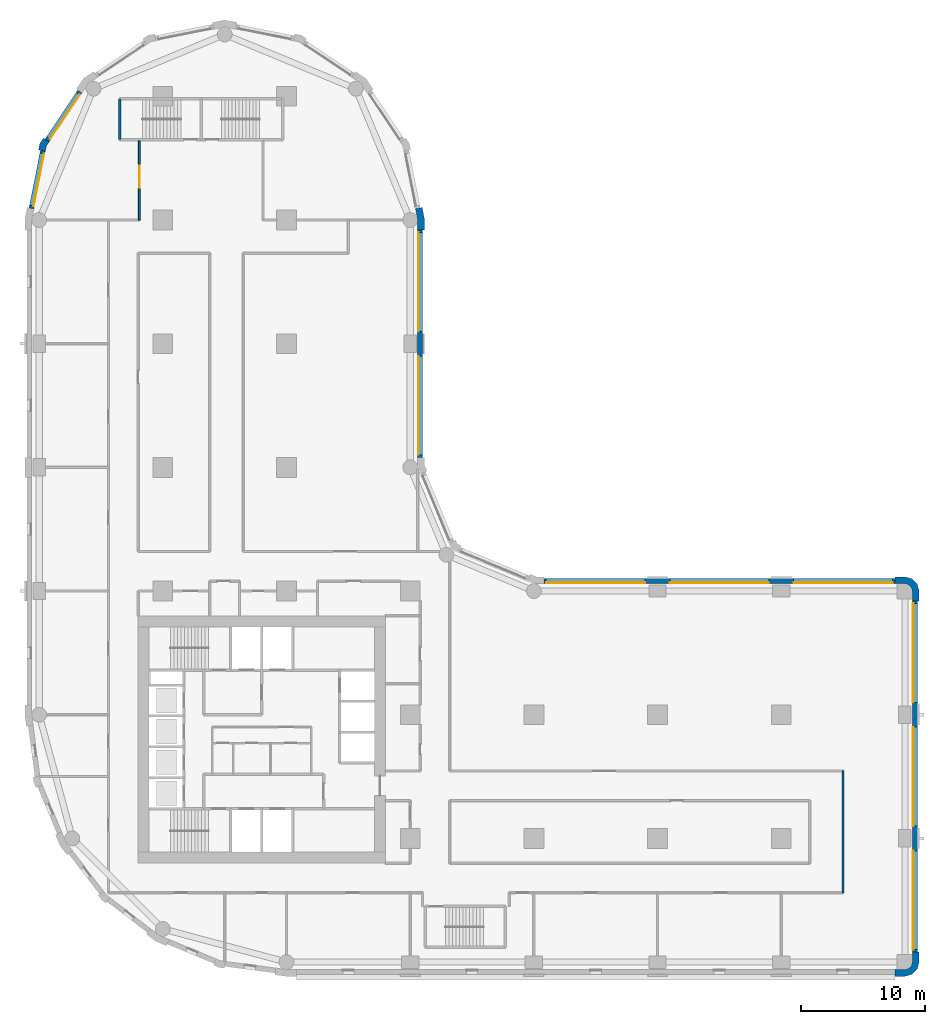
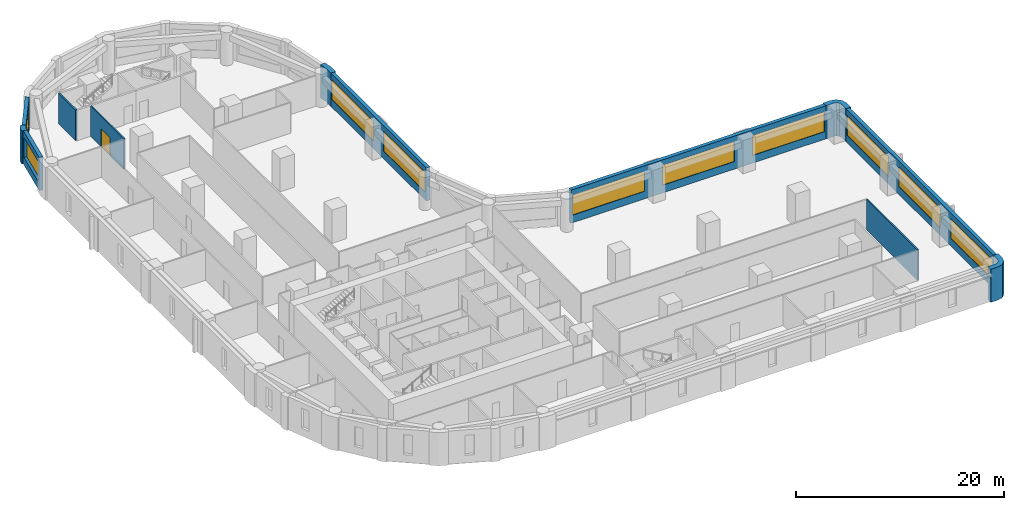
# One storey, part 6 of 10: 12 walls, 10 windows, 1 door, 11 openings.
"""IFC4 building model written with IfcOpenShell, lengths in metres."""

from ifc_helpers import new_model, si_unit, direction, frame, frame_2d, origin, place, context, subcontext, project, spatial, polyline, rectangle, outline, extrude, material, layer, layer_set, type_object, element, fill, save


model = new_model("IFC4")

# Units and contexts
model_context = context("Model", 3, precision=1e-05, world=origin(), true_north=direction((0.0, 1.0)))
body_context = subcontext(model_context, "Body", "Model", "MODEL_VIEW")
ifc_project = project(units=[si_unit("LENGTHUNIT", "METRE"), si_unit("AREAUNIT", "SQUARE_METRE"), si_unit("VOLUMEUNIT", "CUBIC_METRE"), si_unit("PLANEANGLEUNIT", "RADIAN"), si_unit("MASSUNIT", "GRAM", prefix="KILO")], contexts=[model_context])

# Site, building, storey
site_placement = place(None, origin())
site = spatial("IfcSite", under=ifc_project, at=site_placement, CompositionType="ELEMENT")
building_placement = place(site_placement, origin())
building = spatial("IfcBuilding", under=site, at=building_placement, Name="Qaws Garden Tower", CompositionType="ELEMENT")
storey_placement = place(building_placement, frame((0.0, 0.0, 51.0)))
storey = spatial("IfcBuildingStorey", under=building, at=storey_placement, Name="L12", CompositionType="ELEMENT", Elevation=51.0)

# Walls
ifc_material_1 = material(Name="Clay facing brick masonry", Category="masonry")
ifc_layer_1 = layer(ifc_material_1, 0.550048828125)
ifc_layer_set_1 = layer_set([ifc_layer_1], Name="Clay facing brick masonry")
wall_type_1 = type_object("IfcWallType", Name="Brick corner pier 550 x 2400", PredefinedType="SOLIDWALL", material=ifc_layer_set_1)
placement = place(storey_placement, origin())
element("IfcWall", 1, at=placement, inside=storey, type_object=wall_type_1, Name="E-L12-pier-05", PredefinedType="SOLIDWALL", context=body_context, shape_type="SweptSolid", body=[
    extrude(outline(polyline([(69.199951171875, -1.0), (69.199951171875, -1.14990234375), (70.0, -1.14990234375), (70.574951171875, -0.995849609375), (70.995849609375, -0.574951171875), (71.14990234375, 0.0), (71.14990234375, 0.800048828125), (71.0, 0.800048828125), (70.60009765625, 0.800048828125), (70.60009765625, 0.0), (70.51953125, -0.300048828125), (70.300048828125, -0.51953125), (70.0, -0.60009765625), (69.199951171875, -0.60009765625), (69.199951171875, -1.0)])), origin(), (0.0, 0.0, 1.0), 3.89990234375),
])
element("IfcWall", 2, at=placement, inside=storey, type_object=wall_type_1, Name="E-L12-pier-08", PredefinedType="SOLIDWALL", context=body_context, shape_type="SweptSolid", body=[
    extrude(outline(polyline([(71.0, 29.199951171875), (71.14990234375, 29.199951171875), (71.14990234375, 30.0), (70.995849609375, 30.574951171875), (70.574951171875, 30.995849609375), (70.0, 31.14990234375), (69.199951171875, 31.14990234375), (69.199951171875, 31.0), (69.199951171875, 30.60009765625), (70.0, 30.60009765625), (70.300048828125, 30.51953125), (70.51953125, 30.300048828125), (70.60009765625, 30.0), (70.60009765625, 29.199951171875), (71.0, 29.199951171875)])), origin(), (0.0, 0.0, 1.0), 3.89990234375),
])

# Wall, openings, windows
ifc_material_2 = material(Name="Clay facing brick masonry", Category="masonry")
ifc_layer_2 = layer(ifc_material_2, 0.39990234375)
ifc_layer_set_2 = layer_set([ifc_layer_2], Name="Clay facing brick masonry")
wall_type_2 = type_object("IfcWallType", Name="Brick infill wall 400", PredefinedType="SOLIDWALL", material=ifc_layer_set_2)
wall_3_placement = place(storey_placement, frame((70.800048828125, 0.800048828125, 0.0), z_axis=(0.0, 0.0, 1.0), x_axis=(0.0, 1.0, 0.0)))
wall_3 = element("IfcWall", 3, at=wall_3_placement, inside=storey, type_object=wall_type_2, Name="E-L12-infill-05", PredefinedType="SOLIDWALL", context=body_context, shape_type="SweptSolid", body=[
    extrude(rectangle(XDim=28.39990234375, YDim=0.39990234375, at=frame_2d((14.199951171875, 0.0))), origin(), (0.0, 0.0, 1.0), 3.89990234375),
])
opening_1_placement = place(wall_3_placement, frame((0.199951171875, 0.0, 0.89990234375)))
opening_1 = element("IfcOpeningElement", 4, at=opening_1_placement, cuts=wall_3, Name="Opening W01", PredefinedType="OPENING", context=body_context, shape_type="SweptSolid", body=[
    extrude(rectangle(XDim=8.0, YDim=2.35009765625, at=frame_2d((4.0, 1.175048828125))), frame((0.0, 0.2099609375, 0.0), z_axis=(0.0, -1.0, 0.0), x_axis=(1.0, 0.0, 0.0)), (0.0, 0.0, 1.0), 0.419921875),
])
opening_2_placement = place(wall_3_placement, frame((10.199951171875, 0.0, 0.89990234375)))
opening_2 = element("IfcOpeningElement", 5, at=opening_2_placement, cuts=wall_3, Name="Opening W01", PredefinedType="OPENING", context=body_context, shape_type="SweptSolid", body=[
    extrude(rectangle(XDim=8.0, YDim=2.35009765625, at=frame_2d((4.0, 1.175048828125))), frame((0.0, 0.2099609375, 0.0), z_axis=(0.0, -1.0, 0.0), x_axis=(1.0, 0.0, 0.0)), (0.0, 0.0, 1.0), 0.419921875),
])
opening_3_placement = place(wall_3_placement, frame((20.199951171875, 0.0, 0.89990234375)))
opening_3 = element("IfcOpeningElement", 6, at=opening_3_placement, cuts=wall_3, Name="Opening W01", PredefinedType="OPENING", context=body_context, shape_type="SweptSolid", body=[
    extrude(rectangle(XDim=8.0, YDim=2.35009765625, at=frame_2d((4.0, 1.175048828125))), frame((0.0, 0.2099609375, 0.0), z_axis=(0.0, -1.0, 0.0), x_axis=(1.0, 0.0, 0.0)), (0.0, 0.0, 1.0), 0.419921875),
])
ifc_material_3 = material(Name="Aluminium framed window, clear glazing", Category="aluminium")
window_type_1 = type_object("IfcWindowType", Name="Ribbon window 8000 x 2350", PartitioningType="DOUBLE_PANEL_VERTICAL", PredefinedType="WINDOW", material=ifc_material_3)
window_1_placement = place(opening_1_placement, origin())
window_1 = element("IfcWindow", 7, at=window_1_placement, inside=storey, type_object=window_type_1, Name="E-L12-window-05-0", OverallHeight=2.35009765625, OverallWidth=8.0, PartitioningType="SINGLE_PANEL", PredefinedType="WINDOW", context=body_context, shape_type="SweptSolid", body=[
    extrude(rectangle(XDim=8.0, YDim=2.35009765625, at=frame_2d((4.0, 1.175048828125))), frame((0.0, 0.159912109375, 0.0), z_axis=(0.0, -1.0, 0.0), x_axis=(1.0, 0.0, 0.0)), (0.0, 0.0, 1.0), 0.06005859375),
])
fill(opening_1, window_1)
window_2_placement = place(opening_2_placement, origin())
window_2 = element("IfcWindow", 8, at=window_2_placement, inside=storey, type_object=window_type_1, Name="E-L12-window-06-0", OverallHeight=2.35009765625, OverallWidth=8.0, PartitioningType="SINGLE_PANEL", PredefinedType="WINDOW", context=body_context, shape_type="SweptSolid", body=[
    extrude(rectangle(XDim=8.0, YDim=2.35009765625, at=frame_2d((4.0, 1.175048828125))), frame((0.0, 0.159912109375, 0.0), z_axis=(0.0, -1.0, 0.0), x_axis=(1.0, 0.0, 0.0)), (0.0, 0.0, 1.0), 0.06005859375),
])
fill(opening_2, window_2)
window_3_placement = place(opening_3_placement, origin())
window_3 = element("IfcWindow", 9, at=window_3_placement, inside=storey, type_object=window_type_1, Name="E-L12-window-07-0", OverallHeight=2.35009765625, OverallWidth=8.0, PartitioningType="SINGLE_PANEL", PredefinedType="WINDOW", context=body_context, shape_type="SweptSolid", body=[
    extrude(rectangle(XDim=8.0, YDim=2.35009765625, at=frame_2d((4.0, 1.175048828125))), frame((0.0, 0.159912109375, 0.0), z_axis=(0.0, -1.0, 0.0), x_axis=(1.0, 0.0, 0.0)), (0.0, 0.0, 1.0), 0.06005859375),
])
fill(opening_3, window_3)

wall_4_placement = place(storey_placement, frame((69.199951171875, 30.800048828125, 0.0), z_axis=(0.0, 0.0, 1.0), x_axis=(-1.0, 0.0, 0.0)))
wall_4 = element("IfcWall", 10, at=wall_4_placement, inside=storey, type_object=wall_type_2, Name="E-L12-infill-08", PredefinedType="SOLIDWALL", context=body_context, shape_type="SweptSolid", body=[
    extrude(rectangle(XDim=28.39990234375, YDim=0.39990234375, at=frame_2d((14.199951171875, 0.0))), origin(), (0.0, 0.0, 1.0), 3.89990234375),
])
opening_4_placement = place(wall_4_placement, frame((0.199951171875, 0.0, 0.89990234375)))
opening_4 = element("IfcOpeningElement", 11, at=opening_4_placement, cuts=wall_4, Name="Opening W01", PredefinedType="OPENING", context=body_context, shape_type="SweptSolid", body=[
    extrude(rectangle(XDim=8.0, YDim=2.35009765625, at=frame_2d((4.0, 1.175048828125))), frame((0.0, 0.2099609375, 0.0), z_axis=(0.0, -1.0, 0.0), x_axis=(1.0, 0.0, 0.0)), (0.0, 0.0, 1.0), 0.419921875),
])
opening_5_placement = place(wall_4_placement, frame((10.199951171875, 0.0, 0.89990234375)))
opening_5 = element("IfcOpeningElement", 12, at=opening_5_placement, cuts=wall_4, Name="Opening W01", PredefinedType="OPENING", context=body_context, shape_type="SweptSolid", body=[
    extrude(rectangle(XDim=8.0, YDim=2.35009765625, at=frame_2d((4.0, 1.175048828125))), frame((0.0, 0.2099609375, 0.0), z_axis=(0.0, -1.0, 0.0), x_axis=(1.0, 0.0, 0.0)), (0.0, 0.0, 1.0), 0.419921875),
])
opening_6_placement = place(wall_4_placement, frame((20.199951171875, 0.0, 0.89990234375)))
opening_6 = element("IfcOpeningElement", 13, at=opening_6_placement, cuts=wall_4, Name="Opening W01", PredefinedType="OPENING", context=body_context, shape_type="SweptSolid", body=[
    extrude(rectangle(XDim=8.0, YDim=2.35009765625, at=frame_2d((4.0, 1.175048828125))), frame((0.0, 0.2099609375, 0.0), z_axis=(0.0, -1.0, 0.0), x_axis=(1.0, 0.0, 0.0)), (0.0, 0.0, 1.0), 0.419921875),
])
window_4_placement = place(opening_4_placement, origin())
window_4 = element("IfcWindow", 14, at=window_4_placement, inside=storey, type_object=window_type_1, Name="E-L12-window-08-0", OverallHeight=2.35009765625, OverallWidth=8.0, PartitioningType="SINGLE_PANEL", PredefinedType="WINDOW", context=body_context, shape_type="SweptSolid", body=[
    extrude(rectangle(XDim=8.0, YDim=2.35009765625, at=frame_2d((4.0, 1.175048828125))), frame((0.0, 0.159912109375, 0.0), z_axis=(0.0, -1.0, 0.0), x_axis=(1.0, 0.0, 0.0)), (0.0, 0.0, 1.0), 0.06005859375),
])
fill(opening_4, window_4)
window_5_placement = place(opening_5_placement, origin())
window_5 = element("IfcWindow", 15, at=window_5_placement, inside=storey, type_object=window_type_1, Name="E-L12-window-09-0", OverallHeight=2.35009765625, OverallWidth=8.0, PartitioningType="SINGLE_PANEL", PredefinedType="WINDOW", context=body_context, shape_type="SweptSolid", body=[
    extrude(rectangle(XDim=8.0, YDim=2.35009765625, at=frame_2d((4.0, 1.175048828125))), frame((0.0, 0.159912109375, 0.0), z_axis=(0.0, -1.0, 0.0), x_axis=(1.0, 0.0, 0.0)), (0.0, 0.0, 1.0), 0.06005859375),
])
fill(opening_5, window_5)
window_6_placement = place(opening_6_placement, origin())
window_6 = element("IfcWindow", 16, at=window_6_placement, inside=storey, type_object=window_type_1, Name="E-L12-window-10-0", OverallHeight=2.35009765625, OverallWidth=8.0, PartitioningType="SINGLE_PANEL", PredefinedType="WINDOW", context=body_context, shape_type="SweptSolid", body=[
    extrude(rectangle(XDim=8.0, YDim=2.35009765625, at=frame_2d((4.0, 1.175048828125))), frame((0.0, 0.159912109375, 0.0), z_axis=(0.0, -1.0, 0.0), x_axis=(1.0, 0.0, 0.0)), (0.0, 0.0, 1.0), 0.06005859375),
])
fill(opening_6, window_6)

wall_5_placement = place(storey_placement, frame((30.800048828125, 40.800048828125, 0.0), z_axis=(0.0, 0.0, 1.0), x_axis=(0.0, 1.0, 0.0)))
wall_5 = element("IfcWall", 17, at=wall_5_placement, inside=storey, type_object=wall_type_2, Name="E-L12-infill-13", PredefinedType="SOLIDWALL", context=body_context, shape_type="SweptSolid", body=[
    extrude(rectangle(XDim=18.39990234375, YDim=0.39990234375, at=frame_2d((9.199951171875, 0.0))), origin(), (0.0, 0.0, 1.0), 3.89990234375),
])
opening_7_placement = place(wall_5_placement, frame((0.199951171875, 0.0, 0.89990234375)))
opening_7 = element("IfcOpeningElement", 18, at=opening_7_placement, cuts=wall_5, Name="Opening W01", PredefinedType="OPENING", context=body_context, shape_type="SweptSolid", body=[
    extrude(rectangle(XDim=8.0, YDim=2.35009765625, at=frame_2d((4.0, 1.175048828125))), frame((0.0, 0.2099609375, 0.0), z_axis=(0.0, -1.0, 0.0), x_axis=(1.0, 0.0, 0.0)), (0.0, 0.0, 1.0), 0.419921875),
])
opening_8_placement = place(wall_5_placement, frame((10.199951171875, 0.0, 0.89990234375)))
opening_8 = element("IfcOpeningElement", 19, at=opening_8_placement, cuts=wall_5, Name="Opening W01", PredefinedType="OPENING", context=body_context, shape_type="SweptSolid", body=[
    extrude(rectangle(XDim=8.0, YDim=2.35009765625, at=frame_2d((4.0, 1.175048828125))), frame((0.0, 0.2099609375, 0.0), z_axis=(0.0, -1.0, 0.0), x_axis=(1.0, 0.0, 0.0)), (0.0, 0.0, 1.0), 0.419921875),
])
window_7_placement = place(opening_7_placement, origin())
window_7 = element("IfcWindow", 20, at=window_7_placement, inside=storey, type_object=window_type_1, Name="E-L12-window-13-0", OverallHeight=2.35009765625, OverallWidth=8.0, PartitioningType="SINGLE_PANEL", PredefinedType="WINDOW", context=body_context, shape_type="SweptSolid", body=[
    extrude(rectangle(XDim=8.0, YDim=2.35009765625, at=frame_2d((4.0, 1.175048828125))), frame((0.0, 0.159912109375, 0.0), z_axis=(0.0, -1.0, 0.0), x_axis=(1.0, 0.0, 0.0)), (0.0, 0.0, 1.0), 0.06005859375),
])
fill(opening_7, window_7)
window_8_placement = place(opening_8_placement, origin())
window_8 = element("IfcWindow", 21, at=window_8_placement, inside=storey, type_object=window_type_1, Name="E-L12-window-14-0", OverallHeight=2.35009765625, OverallWidth=8.0, PartitioningType="SINGLE_PANEL", PredefinedType="WINDOW", context=body_context, shape_type="SweptSolid", body=[
    extrude(rectangle(XDim=8.0, YDim=2.35009765625, at=frame_2d((4.0, 1.175048828125))), frame((0.0, 0.159912109375, 0.0), z_axis=(0.0, -1.0, 0.0), x_axis=(1.0, 0.0, 0.0)), (0.0, 0.0, 1.0), 0.06005859375),
])
fill(opening_8, window_8)

# Wall, opening, window
wall_6_placement = place(storey_placement, frame((3.28369140625, 70.385986328125, 0.0), z_axis=(0.0, 0.0, 1.0), x_axis=(-0.555541552266, -0.831488775454, 0.0)))
wall_6 = element("IfcWall", 22, at=wall_6_placement, inside=storey, type_object=wall_type_2, Name="E-L12-infill-21", PredefinedType="SOLIDWALL", context=body_context, shape_type="SweptSolid", body=[
    extrude(rectangle(XDim=4.752685546875, YDim=0.39990234375, at=frame_2d((2.37646484375, 0.0))), origin(), (0.0, 0.0, 1.0), 3.89990234375),
])
opening_9_placement = place(wall_6_placement, frame((0.226318359375, 0.0, 0.89990234375)))
opening_9 = element("IfcOpeningElement", 23, at=opening_9_placement, cuts=wall_6, Name="Opening W06", PredefinedType="OPENING", context=body_context, shape_type="SweptSolid", body=[
    extrude(rectangle(XDim=4.300048828125, YDim=2.35009765625, at=frame_2d((2.14990234375, 1.175048828125))), frame((0.0, 0.2099609375, 0.0), z_axis=(0.0, -1.0, 0.0), x_axis=(1.0, 0.0, 0.0)), (0.0, 0.0, 1.0), 0.419921875),
])
ifc_material_4 = material(Name="Aluminium framed window, clear glazing", Category="aluminium")
window_type_2 = type_object("IfcWindowType", Name="Ribbon window 4300 x 2350", PartitioningType="DOUBLE_PANEL_VERTICAL", PredefinedType="WINDOW", material=ifc_material_4)
window_9_placement = place(opening_9_placement, origin())
window_9 = element("IfcWindow", 24, at=window_9_placement, inside=storey, type_object=window_type_2, Name="E-L12-window-21-0", OverallHeight=2.35009765625, OverallWidth=4.300048828125, PartitioningType="SINGLE_PANEL", PredefinedType="WINDOW", context=body_context, shape_type="SweptSolid", body=[
    extrude(rectangle(XDim=4.300048828125, YDim=2.35009765625, at=frame_2d((2.14990234375, 1.175048828125))), frame((0.0, 0.159912109375, 0.0), z_axis=(0.0, -1.0, 0.0), x_axis=(1.0, 0.0, 0.0)), (0.0, 0.0, 1.0), 0.06005859375),
])
fill(opening_9, window_9)

wall_7_placement = place(storey_placement, frame((0.298583984375, 65.60205078125, 0.0), z_axis=(0.0, 0.0, 1.0), x_axis=(-0.195098533057, -0.98078364709, 0.0)))
wall_7 = element("IfcWall", 25, at=wall_7_placement, inside=storey, type_object=wall_type_2, Name="E-L12-infill-22", PredefinedType="SOLIDWALL", context=body_context, shape_type="SweptSolid", body=[
    extrude(rectangle(XDim=4.752685546875, YDim=0.39990234375, at=frame_2d((2.37646484375, 0.0))), origin(), (0.0, 0.0, 1.0), 3.89990234375),
])
opening_10_placement = place(wall_7_placement, frame((0.226318359375, 0.0, 0.89990234375)))
opening_10 = element("IfcOpeningElement", 26, at=opening_10_placement, cuts=wall_7, Name="Opening W06", PredefinedType="OPENING", context=body_context, shape_type="SweptSolid", body=[
    extrude(rectangle(XDim=4.300048828125, YDim=2.35009765625, at=frame_2d((2.14990234375, 1.175048828125))), frame((0.0, 0.2099609375, 0.0), z_axis=(0.0, -1.0, 0.0), x_axis=(1.0, 0.0, 0.0)), (0.0, 0.0, 1.0), 0.419921875),
])
window_10_placement = place(opening_10_placement, origin())
window_10 = element("IfcWindow", 27, at=window_10_placement, inside=storey, type_object=window_type_2, Name="E-L12-window-22-0", OverallHeight=2.35009765625, OverallWidth=4.300048828125, PartitioningType="SINGLE_PANEL", PredefinedType="WINDOW", context=body_context, shape_type="SweptSolid", body=[
    extrude(rectangle(XDim=4.300048828125, YDim=2.35009765625, at=frame_2d((2.14990234375, 1.175048828125))), frame((0.0, 0.159912109375, 0.0), z_axis=(0.0, -1.0, 0.0), x_axis=(1.0, 0.0, 0.0)), (0.0, 0.0, 1.0), 0.06005859375),
])
fill(opening_10, window_10)

# Walls
ifc_material_5 = material(Name="Clay facing brick masonry", Category="masonry")
ifc_layer_3 = layer(ifc_material_5, 0.550048828125)
ifc_layer_set_3 = layer_set([ifc_layer_3], Name="Clay facing brick masonry")
wall_type_3 = type_object("IfcWallType", Name="Brick kink pier 550 x 600", PredefinedType="SOLIDWALL", material=ifc_layer_set_3)
element("IfcWall", 28, at=placement, inside=storey, type_object=wall_type_3, Name="E-L12-pier-22", PredefinedType="SOLIDWALL", context=body_context, shape_type="SweptSolid", body=[
    extrude(outline(polyline([(0.47705078125, 66.545166015625), (0.352294921875, 66.628662109375), (0.05859375, 66.18896484375), (-0.044677734375, 65.67041015625), (0.1025390625, 65.64111328125), (0.494873046875, 65.56298828125), (0.57666015625, 65.974365234375), (0.8095703125, 66.322998046875), (0.47705078125, 66.545166015625)])), origin(), (0.0, 0.0, 1.0), 3.89990234375),
])
ifc_material_6 = material(Name="Clay facing brick masonry", Category="masonry")
ifc_layer_4 = layer(ifc_material_6, 0.550048828125)
ifc_layer_set_4 = layer_set([ifc_layer_4], Name="Clay facing brick masonry")
wall_type_4 = type_object("IfcWallType", Name="Brick pier 550 x 1600", PredefinedType="SOLIDWALL", material=ifc_layer_set_4)
element("IfcWall", 29, at=placement, inside=storey, type_object=wall_type_4, Name="E-L12-pier-15", PredefinedType="SOLIDWALL", context=body_context, shape_type="SweptSolid", body=[
    extrude(outline(polyline([(31.0, 59.199951171875), (31.14990234375, 59.199951171875), (31.14990234375, 60.11328125), (30.971923828125, 61.009033203125), (30.82470703125, 60.979736328125), (30.432373046875, 60.901611328125), (30.60009765625, 60.05908203125), (30.60009765625, 59.199951171875), (31.0, 59.199951171875)])), origin(), (0.0, 0.0, 1.0), 3.89990234375),
])
ifc_material_7 = material(Name="Concrete C80", Category="concrete")
ifc_layer_5 = layer(ifc_material_7, 0.199951171875)
ifc_layer_set_5 = layer_set([ifc_layer_5], Name="Concrete C80")
wall_type_5 = type_object("IfcWallType", Name="Core shaft wall 200 C80", PredefinedType="SHEAR", material=ifc_layer_set_5)
wall_10_placement = place(storey_placement, frame((6.5, 66.5, 0.0), z_axis=(0.0, 0.0, 1.0), x_axis=(0.0, 1.0, 0.0)))
element("IfcWall", 30, at=wall_10_placement, inside=storey, type_object=wall_type_5, Name="Shaft wall", PredefinedType="SHEAR", context=body_context, shape_type="SweptSolid", body=[
    extrude(rectangle(XDim=3.300048828125, YDim=0.199951171875, at=frame_2d((1.64990234375, 0.0))), origin(), (0.0, 0.0, 1.0), 3.580078125),
])

# Wall, opening, door
ifc_material_8 = material(Name="Gypsum board partition")
ifc_layer_6 = layer(ifc_material_8, 0.14990234375)
ifc_layer_set_6 = layer_set([ifc_layer_6], Name="Gypsum board partition")
wall_type_6 = type_object("IfcWallType", Name="PARTITION 150 EI 60", PredefinedType="PARTITIONING", material=ifc_layer_set_6)
wall_11_placement = place(storey_placement, frame((8.10009765625, 60.0, 0.0), z_axis=(0.0, 0.0, 1.0), x_axis=(0.0, 1.0, 0.0)))
wall_11 = element("IfcWall", 31, at=wall_11_placement, inside=storey, type_object=wall_type_6, Name="O-L12-wall-004", PredefinedType="PARTITIONING", context=body_context, shape_type="SweptSolid", body=[
    extrude(rectangle(XDim=6.39990234375, YDim=0.14990234375, at=frame_2d((3.199951171875, 0.0))), origin(), (0.0, 0.0, 1.0), 3.580078125),
])
opening_11_placement = place(wall_11_placement, frame((2.60009765625, 0.0, 0.0)))
opening_11 = element("IfcOpeningElement", 32, at=opening_11_placement, cuts=wall_11, Name="Opening A416", PredefinedType="OPENING", context=body_context, shape_type="SweptSolid", body=[
    extrude(rectangle(XDim=1.800048828125, YDim=2.10009765625, at=frame_2d((0.89990234375, 1.050048828125))), frame((0.0, 0.0849609375, 0.0), z_axis=(0.0, -1.0, 0.0), x_axis=(1.0, 0.0, 0.0)), (0.0, 0.0, 1.0), 0.169921875),
])
ifc_material_9 = material(Name="Timber door leaf", Category="wood")
door_type = type_object("IfcDoorType", Name="DOUBLE DOOR 1800 X 2100", OperationType="DOUBLE_DOOR_SINGLE_SWING", PredefinedType="DOOR", material=ifc_material_9)
door_placement = place(opening_11_placement, origin())
door = element("IfcDoor", 33, at=door_placement, inside=storey, type_object=door_type, Name="O-L12-door-016", OperationType="DOUBLE_DOOR_SINGLE_SWING", OverallHeight=2.10009765625, OverallWidth=1.800048828125, PredefinedType="DOOR", context=body_context, shape_type="SweptSolid", body=[
    extrude(rectangle(XDim=1.800048828125, YDim=2.10009765625, at=frame_2d((0.89990234375, 1.050048828125))), frame((0.0, 0.02490234375, 0.0), z_axis=(0.0, -1.0, 0.0), x_axis=(1.0, 0.0, 0.0)), (0.0, 0.0, 1.0), 0.050048828125),
])
fill(opening_11, door)

# Wall
wall_12_placement = place(storey_placement, frame((65.0, 5.60009765625, 0.0), z_axis=(0.0, 0.0, 1.0), x_axis=(0.0, 1.0, 0.0)))
element("IfcWall", 34, at=wall_12_placement, inside=storey, type_object=wall_type_6, Name="O-L12-wall-028", PredefinedType="PARTITIONING", context=body_context, shape_type="SweptSolid", body=[
    extrude(rectangle(XDim=9.849853515625, YDim=0.14990234375, at=frame_2d((4.9248046875, 0.0))), origin(), (0.0, 0.0, 1.0), 3.580078125),
])

save(model, "model.ifc")
